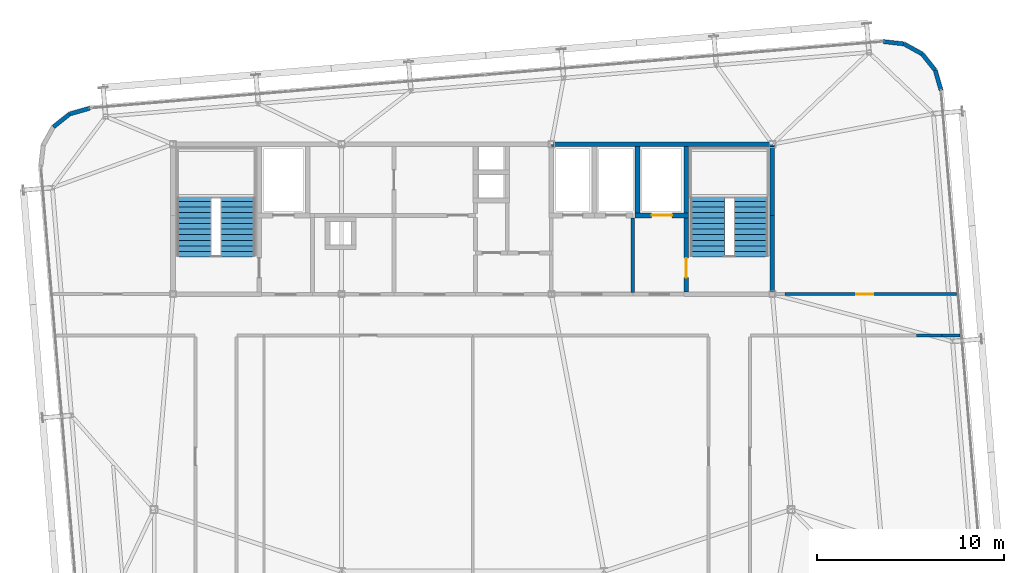
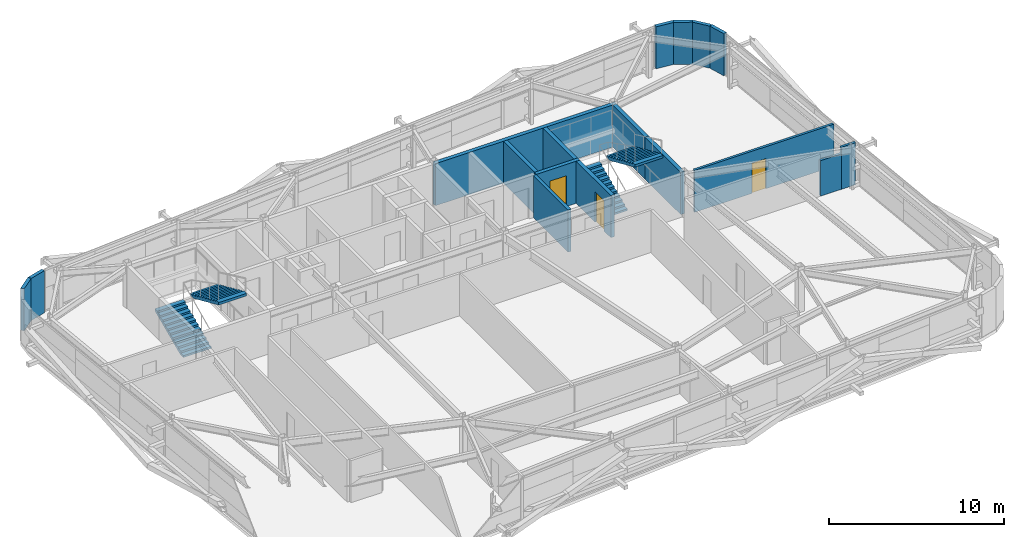
# One storey, part 35 of 37: 17 walls, 4 stair flights, 3 doors, 3 openings, 2 elements without a shape of their own.
"""IFC4 building model written with IfcOpenShell, lengths in metres."""

from ifc_helpers import new_model, si_unit, direction, frame, frame_2d, origin, place, context, subcontext, project, spatial, polyline, rectangle, outline, extrude, source, transform, mapped, material, layer, layer_set, type_object, element, fill, aggregate, save


model = new_model("IFC4")

# Units and contexts
model_context = context("Model", 3, precision=1e-05, world=origin(), true_north=direction((0.0, 1.0)))
body_context = subcontext(model_context, "Body", "Model", "MODEL_VIEW")
ifc_project = project(units=[si_unit("LENGTHUNIT", "METRE"), si_unit("AREAUNIT", "SQUARE_METRE"), si_unit("VOLUMEUNIT", "CUBIC_METRE"), si_unit("PLANEANGLEUNIT", "RADIAN"), si_unit("MASSUNIT", "GRAM", prefix="KILO")], contexts=[model_context])

# Site, building, storey
site_placement = place(None, origin())
site = spatial("IfcSite", under=ifc_project, at=site_placement, CompositionType="ELEMENT")
building_placement = place(site_placement, origin())
building = spatial("IfcBuilding", under=site, at=building_placement, Name="Taldren Reach Tower", CompositionType="ELEMENT")
storey_placement = place(building_placement, frame((0.0, 0.0, 200.89990234375)))
storey = spatial("IfcBuildingStorey", under=building, at=storey_placement, Name="L61", CompositionType="ELEMENT", Elevation=200.89990234375)

# Walls
ifc_material_1 = material(Name="Pale Champagne Anodised Aluminium Cladding", Category="aluminium")
ifc_layer_1 = layer(ifc_material_1, 0.04, Name="Pale Champagne Anodised Aluminium Cladding", Category="aluminium")
ifc_material_2 = material(Name="Mineral Wool Acoustic Insulation", Category="insulation")
ifc_layer_2 = layer(ifc_material_2, 0.06, Name="Mineral Wool Acoustic Insulation", Category="insulation")
ifc_material_3 = material(Name="Steel Gr 350 (C350L0)", Category="steel")
ifc_layer_3 = layer(ifc_material_3, 0.12, Name="Steel Gr 350 (C350L0)", Category="steel")
ifc_layer_set_1 = layer_set([ifc_layer_1, ifc_layer_2, ifc_layer_3], Name="Pale Champagne Aluminium Cladding and Steel Gr 350 Stud Framing")
wall_type_1 = type_object("IfcWallType", Name="EW-CRN-220", PredefinedType="SOLIDWALL", material=ifc_layer_set_1)
shared_shape_1 = source(origin(), body_context, "Body", "SweptSolid", [
    extrude(rectangle(XDim=1.115966796875, YDim=0.219970703125, at=frame_2d((0.55810546875, 0.0))), origin(), (0.0, 0.0, 1.0), 2.93017578125),
])
for number, where, z_axis, x_axis, name in (
    (1, (60.004150390625, 34.870361328125, 0.0), (0.0, 0.0, 1.0), (-0.276512002475, 0.961010464297, 0.0), "Rounded-corner pale-metal facade wall L61-NE1"),
    (2, (59.695556640625, 35.94287109375, 0.0), (0.0, 0.0, 1.0), (-0.623092886403, 0.782147847222, 0.0), "Rounded-corner pale-metal facade wall L61-NE2"),
    (3, (59.000244140625, 36.815673828125, 0.0), (0.0, 0.0, 1.0), (-0.875105012065, 0.483933071672, 0.0), "Rounded-corner pale-metal facade wall L61-NE3"),
    (4, (58.023681640625, 37.355712890625, 0.0), (0.0, 0.0, 1.0), (-0.993657581277, 0.112448259968, 0.0), "Rounded-corner pale-metal facade wall L61-NE4"),
    (5, (14.56396484375, 33.9248046875, 0.0), (0.0, 0.0, 1.0), (-0.961010464297, -0.276512002475, 0.0), "Rounded-corner pale-metal facade wall L61-NW1"),
):
    element("IfcWall", number, at=place(storey_placement, frame(where, z_axis=z_axis, x_axis=x_axis)), inside=storey, type_object=wall_type_1, Name=name, PredefinedType="SOLIDWALL", context=body_context, shape_type="MappedRepresentation", body=[
        mapped(shared_shape_1, transform((0.0, 0.0, 0.0), scale=1.0)),
    ])
shared_shape_2 = source(origin(), body_context, "Body", "SweptSolid", [
    extrude(rectangle(XDim=1.11572265625, YDim=0.219970703125, at=frame_2d((0.557861328125, 0.0))), origin(), (0.0, 0.0, 1.0), 2.93017578125),
])
wall_1_placement = place(storey_placement, frame((13.491455078125, 33.6162109375, 0.0), z_axis=(0.0, 0.0, 1.0), x_axis=(-0.782062884215, -0.623199522732, 0.0)))
element("IfcWall", 6, at=wall_1_placement, inside=storey, type_object=wall_type_1, Name="Rounded-corner pale-metal facade wall L61-NW2", PredefinedType="SOLIDWALL", context=body_context, shape_type="MappedRepresentation", body=[
    mapped(shared_shape_2, transform((0.0, 0.0, 0.0), scale=1.0)),
])
ifc_material_4 = material(Name="Concrete S65 (65 MPa)", Category="concrete")
ifc_layer_4 = layer(ifc_material_4, 0.25)
ifc_layer_set_2 = layer_set([ifc_layer_4], Name="Concrete S65 (65 MPa)")
wall_type_2 = type_object("IfcWallType", Name="IW-CORE-250", PredefinedType="SHEAR", material=ifc_layer_set_2)
shared_shape_3 = source(origin(), body_context, "Body", "SweptSolid", [
    extrude(rectangle(XDim=11.925048828125, YDim=0.25, at=frame_2d((5.96240234375, 0.0))), origin(), (0.0, 0.0, 1.0), 2.93017578125),
])
wall_2_placement = place(storey_placement, frame((39.199951171875, 32.0, 0.0), z_axis=(0.0, 0.0, 1.0), x_axis=(1.0, 0.0, 0.0)))
element("IfcWall", 7, at=wall_2_placement, inside=storey, type_object=wall_type_2, Name="Rear Core Shear Wall W-CORE-L61-NORTH3", PredefinedType="SHEAR", context=body_context, shape_type="MappedRepresentation", body=[
    mapped(shared_shape_3, transform((0.0, 0.0, 0.0), scale=1.0)),
])
shared_shape_4 = source(origin(), body_context, "Body", "SweptSolid", [
    extrude(rectangle(XDim=4.074951171875, YDim=0.25, at=frame_2d((2.03759765625, 0.0))), origin(), (0.0, 0.0, 1.0), 2.93017578125),
])
wall_3_placement = place(storey_placement, frame((51.0, 24.125, 0.0), z_axis=(0.0, 0.0, 1.0), x_axis=(0.0, 1.0, 0.0)))
element("IfcWall", 8, at=wall_3_placement, inside=storey, type_object=wall_type_2, Name="Rear Core Shear Wall W-CORE-L61-EAST1", PredefinedType="SHEAR", context=body_context, shape_type="MappedRepresentation", body=[
    mapped(shared_shape_4, transform((0.0, 0.0, 0.0), scale=1.0)),
])
shared_shape_5 = source(origin(), body_context, "Body", "SweptSolid", [
    extrude(rectangle(XDim=3.675048828125, YDim=0.25, at=frame_2d((1.83740234375, 0.0))), origin(), (0.0, 0.0, 1.0), 2.93017578125),
])
wall_4_placement = place(storey_placement, frame((51.0, 28.199951171875, 0.0), z_axis=(0.0, 0.0, 1.0), x_axis=(0.0, 1.0, 0.0)))
element("IfcWall", 9, at=wall_4_placement, inside=storey, type_object=wall_type_2, Name="Rear Core Shear Wall W-CORE-L61-EAST2", PredefinedType="SHEAR", context=body_context, shape_type="MappedRepresentation", body=[
    mapped(shared_shape_5, transform((0.0, 0.0, 0.0), scale=1.0)),
])
shared_shape_6 = source(origin(), body_context, "Body", "SweptSolid", [
    extrude(rectangle(XDim=3.550048828125, YDim=0.25, at=frame_2d((1.77490234375, 0.0))), origin(), (0.0, 0.0, 1.0), 2.93017578125),
])
for number, where, z_axis, x_axis, name in (
    (10, (46.39990234375, 31.875, 0.0), (0.0, 0.0, 1.0), (0.0, -1.0, 0.0), "Rear Core Shear Wall W-INT-L61-008"),
    (11, (43.800048828125, 31.875, 0.0), (0.0, 0.0, 1.0), (0.0, -1.0, 0.0), "Rear Core Shear Wall W-INT-L61-012"),
):
    element("IfcWall", number, at=place(storey_placement, frame(where, z_axis=z_axis, x_axis=x_axis)), inside=storey, type_object=wall_type_2, Name=name, PredefinedType="SHEAR", context=body_context, shape_type="MappedRepresentation", body=[
        mapped(shared_shape_6, transform((0.0, 0.0, 0.0), scale=1.0)),
    ])

# Wall, opening, door
shared_shape_7 = source(origin(), body_context, "Body", "SweptSolid", [
    extrude(rectangle(XDim=3.949951171875, YDim=0.25, at=frame_2d((1.97509765625, 0.0))), origin(), (0.0, 0.0, 1.0), 2.93017578125),
])
wall_5_placement = place(storey_placement, frame((46.39990234375, 28.074951171875, 0.0), z_axis=(0.0, 0.0, 1.0), x_axis=(0.0, -1.0, 0.0)))
wall_5 = element("IfcWall", 12, at=wall_5_placement, inside=storey, type_object=wall_type_2, Name="Rear Core Shear Wall W-INT-L61-009", PredefinedType="SHEAR", context=body_context, shape_type="MappedRepresentation", body=[
    mapped(shared_shape_7, transform((0.0, 0.0, 0.0), scale=1.0)),
])
shared_shape_8 = source(origin(), body_context, "Body", "SweptSolid", [
    extrude(rectangle(XDim=1.050048828125, YDim=2.10009765625, at=frame_2d((0.52490234375, 1.050048828125))), frame((0.0, 0.135009765625, 0.0), z_axis=(0.0, -1.0, 0.0), x_axis=(1.0, 0.0, 0.0)), (0.0, 0.0, 1.0), 0.27001953125),
])
opening_1_placement = place(wall_5_placement, frame((2.14990234375, 0.0, 0.0)))
opening_1 = element("IfcOpeningElement", 13, at=opening_1_placement, cuts=wall_5, Name="Opening DF-105", PredefinedType="OPENING", context=body_context, shape_type="MappedRepresentation", body=[
    mapped(shared_shape_8, transform((0.0, 0.0, 0.0), scale=1.0)),
])
ifc_material_5 = material(Name="Fire-Rated Care and Stair Exit Door")
door_type_1 = type_object("IfcDoorType", Name="ID-FIRE-105", OperationType="NOTDEFINED", PredefinedType="DOOR", material=ifc_material_5)
shared_shape_9 = source(origin(), body_context, "Body", "SweptSolid", [
    extrude(rectangle(XDim=1.050048828125, YDim=2.10009765625, at=frame_2d((0.52490234375, 1.050048828125))), frame((0.0, 0.02490234375, 0.0), z_axis=(0.0, -1.0, 0.0), x_axis=(1.0, 0.0, 0.0)), (0.0, 0.0, 1.0), 0.050048828125),
])
door_1_placement = place(opening_1_placement, origin())
door_1 = element("IfcDoor", 14, at=door_1_placement, inside=storey, type_object=door_type_1, Name="Fire Exit Stair Door DR-L61-003", OperationType="SINGLE_SWING_RIGHT", OverallHeight=2.10009765625, OverallWidth=1.050048828125, PredefinedType="DOOR", context=body_context, shape_type="MappedRepresentation", body=[
    mapped(shared_shape_9, transform((0.0, 0.0, 0.0), scale=1.0)),
])
fill(opening_1, door_1)

shared_shape_10 = source(origin(), body_context, "Body", "SweptSolid", [
    extrude(rectangle(XDim=2.849853515625, YDim=0.25, at=frame_2d((1.4248046875, 0.0))), origin(), (0.0, 0.0, 1.0), 2.93017578125),
])
wall_6_placement = place(storey_placement, frame((43.675048828125, 28.199951171875, 0.0), z_axis=(0.0, 0.0, 1.0), x_axis=(1.0, 0.0, 0.0)))
wall_6 = element("IfcWall", 15, at=wall_6_placement, inside=storey, type_object=wall_type_2, Name="Rear Core Shear Wall W-INT-L61-011", PredefinedType="SHEAR", context=body_context, shape_type="MappedRepresentation", body=[
    mapped(shared_shape_10, transform((0.0, 0.0, 0.0), scale=1.0)),
])
shared_shape_11 = source(origin(), body_context, "Body", "SweptSolid", [
    extrude(rectangle(XDim=1.10009765625, YDim=2.14990234375, at=frame_2d((0.550048828125, 1.074951171875))), frame((0.0, 0.135009765625, 0.0), z_axis=(0.0, -1.0, 0.0), x_axis=(1.0, 0.0, 0.0)), (0.0, 0.0, 1.0), 0.27001953125),
])
opening_2_placement = place(wall_6_placement, frame((0.875, 0.0, 0.0)))
opening_2 = element("IfcOpeningElement", 16, at=opening_2_placement, cuts=wall_6, Name="Opening LD-FL2", PredefinedType="OPENING", context=body_context, shape_type="MappedRepresentation", body=[
    mapped(shared_shape_11, transform((0.0, 0.0, 0.0), scale=1.0)),
])
ifc_material_6 = material(Name="Stainless Steel Gr 316 Emergency Lift Landing Door", Category="steel")
door_type_2 = type_object("IfcDoorType", Name="LD-EMG-110", OperationType="SLIDING_TO_LEFT", PredefinedType="DOOR", material=ifc_material_6)
shared_shape_12 = source(origin(), body_context, "Body", "SweptSolid", [
    extrude(rectangle(XDim=1.10009765625, YDim=2.14990234375, at=frame_2d((0.550048828125, 1.074951171875))), frame((0.0, 0.02490234375, 0.0), z_axis=(0.0, -1.0, 0.0), x_axis=(1.0, 0.0, 0.0)), (0.0, 0.0, 1.0), 0.050048828125),
])
door_2_placement = place(opening_2_placement, origin())
door_2 = element("IfcDoor", 17, at=door_2_placement, inside=storey, type_object=door_type_2, Name="Lift Landing Door LD-FL2-L61", OperationType="SLIDING_TO_LEFT", OverallHeight=2.14990234375, OverallWidth=1.10009765625, PredefinedType="DOOR", context=body_context, shape_type="MappedRepresentation", body=[
    mapped(shared_shape_12, transform((0.0, 0.0, 0.0), scale=1.0)),
])
fill(opening_2, door_2)

# Wall
ifc_material_7 = material(Name="Concrete S50 (50 MPa)", Category="concrete")
ifc_layer_5 = layer(ifc_material_7, 0.199951171875)
ifc_layer_set_3 = layer_set([ifc_layer_5], Name="Concrete S50 (50 MPa)")
wall_type_3 = type_object("IfcWallType", Name="IW-CORE-200", PredefinedType="SOLIDWALL", material=ifc_layer_set_3)
shared_shape_13 = source(origin(), body_context, "Body", "SweptSolid", [
    extrude(rectangle(XDim=3.974853515625, YDim=0.199951171875, at=frame_2d((1.9873046875, 0.0))), origin(), (0.0, 0.0, 1.0), 2.93017578125),
])
wall_7_placement = place(storey_placement, frame((43.550048828125, 28.074951171875, 0.0), z_axis=(0.0, 0.0, 1.0), x_axis=(0.0, -1.0, 0.0)))
element("IfcWall", 18, at=wall_7_placement, inside=storey, type_object=wall_type_3, Name="Rear Core Shear Wall W-INT-L61-013", PredefinedType="SOLIDWALL", context=body_context, shape_type="MappedRepresentation", body=[
    mapped(shared_shape_13, transform((0.0, 0.0, 0.0), scale=1.0)),
])

# Wall, opening, door
ifc_material_8 = material(Name="Fire-Rated Acoustic Plasterboard Stud Wall", Category="gypsum")
ifc_layer_6 = layer(ifc_material_8, 0.159912109375)
ifc_layer_set_4 = layer_set([ifc_layer_6], Name="Fire-Rated Acoustic Plasterboard Stud Wall")
wall_type_4 = type_object("IfcWallType", Name="IW-FIRE-160", PredefinedType="PARTITIONING", material=ifc_layer_set_4)
shared_shape_14 = source(origin(), body_context, "Body", "SweptSolid", [
    extrude(rectangle(XDim=9.15283203125, YDim=0.159912109375, at=frame_2d((4.576416015625, 0.0))), origin(), (0.0, 0.0, 1.0), 2.93017578125),
])
wall_8_placement = place(storey_placement, frame((51.6806640625, 24.0, 0.0), z_axis=(0.0, 0.0, 1.0), x_axis=(1.0, 0.0, 0.0)))
wall_8 = element("IfcWall", 19, at=wall_8_placement, inside=storey, type_object=wall_type_4, Name="Interior Partition Wall W-INT-L61-052 part 2", PredefinedType="PARTITIONING", context=body_context, shape_type="MappedRepresentation", body=[
    mapped(shared_shape_14, transform((0.0, 0.0, 0.0), scale=1.0)),
])
shared_shape_15 = source(origin(), body_context, "Body", "SweptSolid", [
    extrude(rectangle(XDim=0.919921875, YDim=2.10009765625, at=frame_2d((0.4599609375, 1.050048828125))), frame((0.0, 0.08984375, 0.0), z_axis=(0.0, -1.0, 0.0), x_axis=(1.0, 0.0, 0.0)), (0.0, 0.0, 1.0), 0.179931640625),
])
opening_3_placement = place(wall_8_placement, frame((3.7861328125, 0.0, 0.0)))
opening_3 = element("IfcOpeningElement", 20, at=opening_3_placement, cuts=wall_8, Name="Opening DI-092", PredefinedType="OPENING", context=body_context, shape_type="MappedRepresentation", body=[
    mapped(shared_shape_15, transform((0.0, 0.0, 0.0), scale=1.0)),
])
ifc_material_9 = material(Name="Solid-Core Timber Suite Door", Category="wood")
door_type_3 = type_object("IfcDoorType", Name="ID-INT-092", OperationType="NOTDEFINED", PredefinedType="DOOR", material=ifc_material_9)
shared_shape_16 = source(origin(), body_context, "Body", "SweptSolid", [
    extrude(rectangle(XDim=0.919921875, YDim=2.10009765625, at=frame_2d((0.4599609375, 1.050048828125))), frame((0.0, 0.02490234375, 0.0), z_axis=(0.0, -1.0, 0.0), x_axis=(1.0, 0.0, 0.0)), (0.0, 0.0, 1.0), 0.050048828125),
])
door_3_placement = place(opening_3_placement, origin())
door_3 = element("IfcDoor", 21, at=door_3_placement, inside=storey, type_object=door_type_3, Name="Interior Door DR-L61-016", OperationType="SINGLE_SWING_LEFT", OverallHeight=2.10009765625, OverallWidth=0.919921875, PredefinedType="DOOR", context=body_context, shape_type="MappedRepresentation", body=[
    mapped(shared_shape_16, transform((0.0, 0.0, 0.0), scale=1.0)),
])
fill(opening_3, door_3)

# Walls
shared_shape_17 = source(origin(), body_context, "Body", "SweptSolid", [
    extrude(rectangle(XDim=0.9453125, YDim=0.159912109375, at=frame_2d((0.47265625, 0.0))), origin(), (0.0, 0.0, 1.0), 2.93017578125),
])
wall_9_placement = place(storey_placement, frame((61.004638671875, 21.800048828125, 0.0), z_axis=(0.0, 0.0, 1.0), x_axis=(-1.0, 0.0, 0.0)))
element("IfcWall", 22, at=wall_9_placement, inside=storey, type_object=wall_type_4, Name="Interior Partition Wall W-INT-L61-057", PredefinedType="PARTITIONING", context=body_context, shape_type="MappedRepresentation", body=[
    mapped(shared_shape_17, transform((0.0, 0.0, 0.0), scale=1.0)),
])
shared_shape_18 = source(origin(), body_context, "Body", "SweptSolid", [
    extrude(rectangle(XDim=1.361328125, YDim=0.159912109375, at=frame_2d((0.6806640625, 0.0))), origin(), (0.0, 0.0, 1.0), 2.47021484375),
])
wall_10_placement = place(storey_placement, frame((60.059326171875, 21.800048828125, 0.0), z_axis=(0.0, 0.0, 1.0), x_axis=(-1.0, 0.0, 0.0)))
element("IfcWall", 23, at=wall_10_placement, inside=storey, type_object=wall_type_4, Name="Interior Partition Wall W-INT-L61-057 part 2", PredefinedType="PARTITIONING", context=body_context, shape_type="MappedRepresentation", body=[
    mapped(shared_shape_18, transform((0.0, 0.0, 0.0), scale=1.0)),
])

# Stair, stair flights
stair_type = type_object("IfcStairType", Name="ST-HT-315", PredefinedType="HALF_TURN_STAIR", material=ifc_material_7)
stair_1_placement = place(storey_placement, origin())
stair_1 = element("IfcStair", 24, at=stair_1_placement, inside=storey, type_object=stair_type, Name="Fire-isolated exit stair ST1 L61", PredefinedType="HALF_TURN_STAIR")
stair_flight_type = type_object("IfcStairFlightType", Name="SF-STR-315", PredefinedType="STRAIGHT", material=ifc_material_7)
stair_flight_1_placement = place(storey_placement, frame((20.139892578125, 25.989990234375, 0.0), z_axis=(0.0, 0.0, 1.0), x_axis=(0.0, 1.0, 0.0)))
stair_flight_1 = element("IfcStairFlight", 25, at=stair_flight_1_placement, type_object=stair_flight_type, Name="ST1 flight 1", NumberOfRisers=12, NumberOfTreads=11, PredefinedType="STRAIGHT", RiserHeight=0.13125, TreadLength=0.295, context=body_context, shape_type="SweptSolid", body=[
    extrude(outline(polyline([(0.0, 0.0), (0.0, 0.13134765625), (0.294921875, 0.13134765625), (0.294921875, 0.262451171875), (0.590087890625, 0.262451171875), (0.590087890625, 0.393798828125), (0.885009765625, 0.393798828125), (0.885009765625, 0.52490234375), (1.179931640625, 0.52490234375), (1.179931640625, 0.65625), (1.47509765625, 0.65625), (1.47509765625, 0.78759765625), (1.77001953125, 0.78759765625), (1.77001953125, 0.918701171875), (2.06494140625, 0.918701171875), (2.06494140625, 1.050048828125), (2.360107421875, 1.050048828125), (2.360107421875, 1.18115234375), (2.655029296875, 1.18115234375), (2.655029296875, 1.3125), (2.949951171875, 1.3125), (2.949951171875, 1.44384765625), (3.2451171875, 1.44384765625), (3.2451171875, 1.574951171875), (3.2451171875, 1.268798828125), (0.393310546875, 0.0), (0.0, 0.0)])), frame((0.0, 0.919921875, 0.0), z_axis=(0.0, -1.0, 0.0), x_axis=(1.0, 0.0, 0.0)), (0.0, 0.0, 1.0), 1.840087890625),
])
stair_flight_2_placement = place(storey_placement, frame((22.4599609375, 29.235107421875, 1.5751953125), z_axis=(0.0, 0.0, 1.0), x_axis=(0.0, -1.0, 0.0)))
stair_flight_2 = element("IfcStairFlight", 26, at=stair_flight_2_placement, type_object=stair_flight_type, Name="ST1 flight 2", NumberOfRisers=12, NumberOfTreads=11, PredefinedType="STRAIGHT", RiserHeight=0.13125, TreadLength=0.295, context=body_context, shape_type="SweptSolid", body=[
    extrude(outline(polyline([(0.0, 0.0), (0.0, 0.13134765625), (0.294921875, 0.13134765625), (0.294921875, 0.262451171875), (0.590087890625, 0.262451171875), (0.590087890625, 0.393798828125), (0.885009765625, 0.393798828125), (0.885009765625, 0.52490234375), (1.179931640625, 0.52490234375), (1.179931640625, 0.65625), (1.47509765625, 0.65625), (1.47509765625, 0.78759765625), (1.77001953125, 0.78759765625), (1.77001953125, 0.918701171875), (2.06494140625, 0.918701171875), (2.06494140625, 1.050048828125), (2.360107421875, 1.050048828125), (2.360107421875, 1.18115234375), (2.655029296875, 1.18115234375), (2.655029296875, 1.3125), (2.949951171875, 1.3125), (2.949951171875, 1.44384765625), (3.2451171875, 1.44384765625), (3.2451171875, 1.574951171875), (3.2451171875, 1.268798828125), (0.393310546875, 0.0), (0.0, 0.0)])), frame((0.0, 0.919921875, 0.0), z_axis=(0.0, -1.0, 0.0), x_axis=(1.0, 0.0, 0.0)), (0.0, 0.0, 1.0), 1.840087890625),
])
aggregate(stair_1, [stair_flight_1, stair_flight_2])

stair_2_placement = place(storey_placement, origin())
stair_2 = element("IfcStair", 27, at=stair_2_placement, inside=storey, type_object=stair_type, Name="Fire-isolated exit stair ST2 L61", PredefinedType="HALF_TURN_STAIR")
stair_flight_3_placement = place(storey_placement, frame((47.5400390625, 25.989990234375, 0.0), z_axis=(0.0, 0.0, 1.0), x_axis=(0.0, 1.0, 0.0)))
stair_flight_3 = element("IfcStairFlight", 28, at=stair_flight_3_placement, type_object=stair_flight_type, Name="ST2 flight 1", NumberOfRisers=12, NumberOfTreads=11, PredefinedType="STRAIGHT", RiserHeight=0.13125, TreadLength=0.295, context=body_context, shape_type="SweptSolid", body=[
    extrude(outline(polyline([(0.0, 0.0), (0.0, 0.13134765625), (0.294921875, 0.13134765625), (0.294921875, 0.262451171875), (0.590087890625, 0.262451171875), (0.590087890625, 0.393798828125), (0.885009765625, 0.393798828125), (0.885009765625, 0.52490234375), (1.179931640625, 0.52490234375), (1.179931640625, 0.65625), (1.47509765625, 0.65625), (1.47509765625, 0.78759765625), (1.77001953125, 0.78759765625), (1.77001953125, 0.918701171875), (2.06494140625, 0.918701171875), (2.06494140625, 1.050048828125), (2.360107421875, 1.050048828125), (2.360107421875, 1.18115234375), (2.655029296875, 1.18115234375), (2.655029296875, 1.3125), (2.949951171875, 1.3125), (2.949951171875, 1.44384765625), (3.2451171875, 1.44384765625), (3.2451171875, 1.574951171875), (3.2451171875, 1.268798828125), (0.393310546875, 0.0), (0.0, 0.0)])), frame((0.0, 0.919921875, 0.0), z_axis=(0.0, -1.0, 0.0), x_axis=(1.0, 0.0, 0.0)), (0.0, 0.0, 1.0), 1.840087890625),
])
stair_flight_4_placement = place(storey_placement, frame((49.860107421875, 29.235107421875, 1.5751953125), z_axis=(0.0, 0.0, 1.0), x_axis=(0.0, -1.0, 0.0)))
stair_flight_4 = element("IfcStairFlight", 29, at=stair_flight_4_placement, type_object=stair_flight_type, Name="ST2 flight 2", NumberOfRisers=12, NumberOfTreads=11, PredefinedType="STRAIGHT", RiserHeight=0.13125, TreadLength=0.295, context=body_context, shape_type="SweptSolid", body=[
    extrude(outline(polyline([(0.0, 0.0), (0.0, 0.13134765625), (0.294921875, 0.13134765625), (0.294921875, 0.262451171875), (0.590087890625, 0.262451171875), (0.590087890625, 0.393798828125), (0.885009765625, 0.393798828125), (0.885009765625, 0.52490234375), (1.179931640625, 0.52490234375), (1.179931640625, 0.65625), (1.47509765625, 0.65625), (1.47509765625, 0.78759765625), (1.77001953125, 0.78759765625), (1.77001953125, 0.918701171875), (2.06494140625, 0.918701171875), (2.06494140625, 1.050048828125), (2.360107421875, 1.050048828125), (2.360107421875, 1.18115234375), (2.655029296875, 1.18115234375), (2.655029296875, 1.3125), (2.949951171875, 1.3125), (2.949951171875, 1.44384765625), (3.2451171875, 1.44384765625), (3.2451171875, 1.574951171875), (3.2451171875, 1.268798828125), (0.393310546875, 0.0), (0.0, 0.0)])), frame((0.0, 0.919921875, 0.0), z_axis=(0.0, -1.0, 0.0), x_axis=(1.0, 0.0, 0.0)), (0.0, 0.0, 1.0), 1.840087890625),
])
aggregate(stair_2, [stair_flight_3, stair_flight_4])

save(model, "model.ifc")
